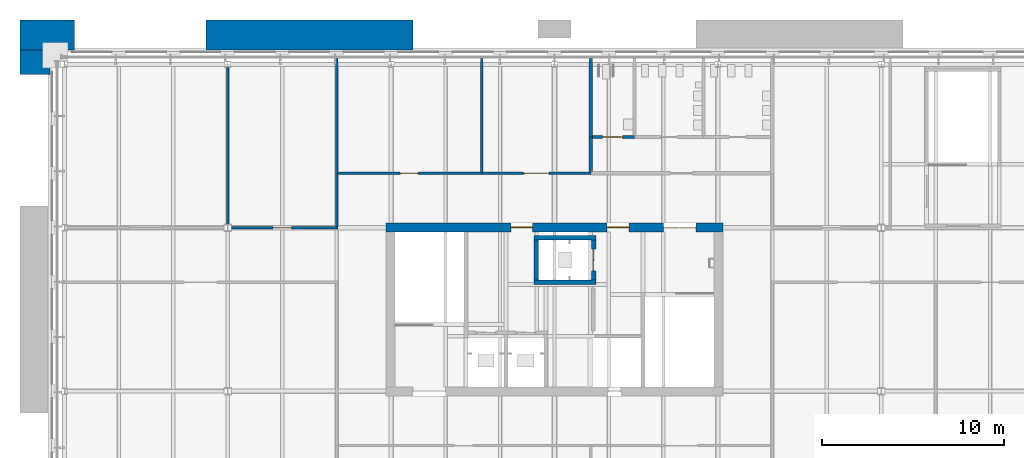
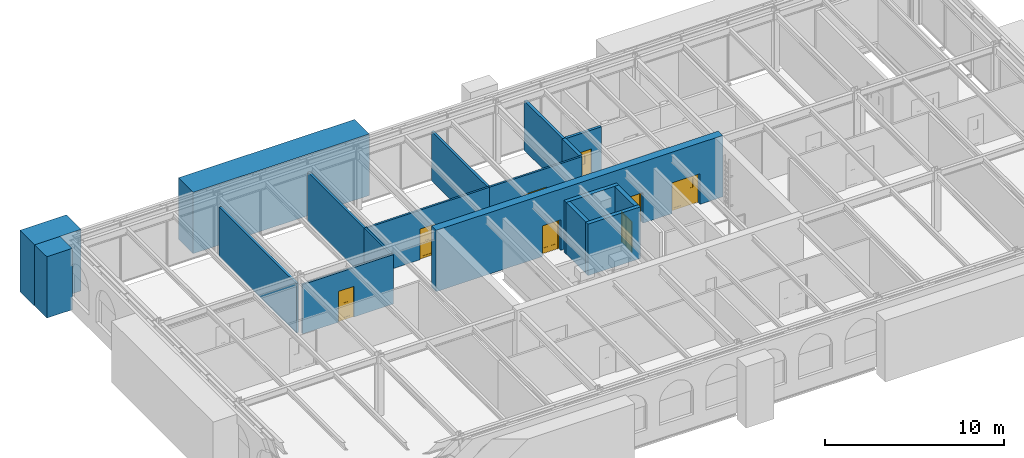
# One storey, part 13 of 24: 18 walls, 8 doors, 8 openings.
"""IFC4 building model written with IfcOpenShell, lengths in metres."""

from ifc_helpers import new_model, si_unit, direction, frame, frame_2d, origin, place, context, subcontext, project, spatial, polyline, rectangle, outline, extrude, material, layer, layer_set, type_object, element, fill, save


model = new_model("IFC4")

# Units and contexts
model_context = context("Model", 3, precision=1e-05, world=origin(), true_north=direction((0.0, 1.0)))
body_context = subcontext(model_context, "Body", "Model", "MODEL_VIEW")
ifc_project = project(units=[si_unit("LENGTHUNIT", "METRE"), si_unit("AREAUNIT", "SQUARE_METRE"), si_unit("VOLUMEUNIT", "CUBIC_METRE"), si_unit("PLANEANGLEUNIT", "RADIAN"), si_unit("MASSUNIT", "GRAM", prefix="KILO")], contexts=[model_context])

# Site, building, storey
site_placement = place(None, origin())
site = spatial("IfcSite", under=ifc_project, at=site_placement, CompositionType="ELEMENT")
building_placement = place(site_placement, origin())
building = spatial("IfcBuilding", under=site, at=building_placement, Name="Baradari Gate Terminus", CompositionType="ELEMENT")
storey_placement = place(building_placement, frame((0.0, 0.0, 32.699951171875)))
storey = spatial("IfcBuildingStorey", under=building, at=storey_placement, Name="L07", CompositionType="ELEMENT", Elevation=32.699951171875)

# Wall, opening, door
ifc_material_1 = material(Name="Gypsum board")
ifc_layer_1 = layer(ifc_material_1, 0.125)
ifc_layer_set_1 = layer_set([ifc_layer_1], Name="Gypsum board")
wall_type_1 = type_object("IfcWallType", Name="Corridor partition PT-5 125 EI 30", PredefinedType="PARTITIONING", material=ifc_layer_set_1)
wall_1_placement = place(storey_placement, frame((18.197509765625, 135.0, 0.0), z_axis=(0.0, 0.0, 1.0), x_axis=(1.0, 0.0, 0.0)))
wall_1 = element("IfcWall", 1, at=wall_1_placement, inside=storey, type_object=wall_type_1, Name="PT-5 partition Corridor / Instructor Office", PredefinedType="PARTITIONING", context=body_context, shape_type="SweptSolid", body=[
    extrude(rectangle(XDim=5.864990234375, YDim=0.125, at=frame_2d((2.9326171875, 0.0))), origin(), (0.0, 0.0, 1.0), 3.382080078125),
])
opening_1_placement = place(wall_1_placement, frame((2.302490234375, 0.0, 0.0)))
opening_1 = element("IfcOpeningElement", 2, at=opening_1_placement, cuts=wall_1, Name="Opening D07-016", PredefinedType="OPENING", context=body_context, shape_type="SweptSolid", body=[
    extrude(rectangle(XDim=1.0, YDim=2.10009765625, at=frame_2d((0.5, 1.050048828125))), frame((0.0, 0.072509765625, 0.0), z_axis=(0.0, -1.0, 0.0), x_axis=(1.0, 0.0, 0.0)), (0.0, 0.0, 1.0), 0.14501953125),
])
ifc_material_2 = material(Name="Steel S275", Category="steel")
door_type_1 = type_object("IfcDoorType", Name="Fire door FI-1000-FD30S 1000x2100 FD30S", OperationType="SINGLE_SWING_LEFT", PredefinedType="DOOR", material=ifc_material_2)
door_1_placement = place(opening_1_placement, origin())
door_1 = element("IfcDoor", 3, at=door_1_placement, inside=storey, type_object=door_type_1, Name="Door Instructor Office", OperationType="SINGLE_SWING_LEFT", OverallHeight=2.1, OverallWidth=1.0, PredefinedType="DOOR", context=body_context, shape_type="SweptSolid", body=[
    extrude(outline(polyline([(0.0, 0.0), (0.070068359375, 0.0), (0.070068359375, 2.030029296875), (0.929931640625, 2.030029296875), (0.929931640625, 0.0), (1.0, 0.0), (1.0, 2.10009765625), (0.0, 2.10009765625), (0.0, 0.0)])), frame((0.0, 0.02490234375, 0.0), z_axis=(0.0, -1.0, 0.0), x_axis=(1.0, 0.0, 0.0)), (0.0, 0.0, 1.0), 0.050048828125),
    extrude(outline(polyline([(0.073974609375, 0.010009765625), (0.926025390625, 0.010009765625), (0.926025390625, 2.026123046875), (0.073974609375, 2.026123046875), (0.073974609375, 0.010009765625)]), holes=[polyline([(0.194091796875, 0.159912109375), (0.805908203125, 0.159912109375), (0.805908203125, 1.010009765625), (0.194091796875, 1.010009765625), (0.194091796875, 0.159912109375)]), polyline([(0.35009765625, 1.159912109375), (0.64990234375, 1.159912109375), (0.64990234375, 1.760009765625), (0.35009765625, 1.760009765625), (0.35009765625, 1.159912109375)])]), frame((0.0, 0.017333984375, 0.0), z_axis=(0.0, -1.0, 0.0), x_axis=(1.0, 0.0, 0.0)), (0.0, 0.0, 1.0), 0.034912109375),
    extrude(rectangle(XDim=0.61181640625, YDim=0.85009765625, at=frame_2d((0.5, 0.5849609375))), frame((0.0, 0.008544921875, 0.0), z_axis=(0.0, -1.0, 0.0), x_axis=(1.0, 0.0, 0.0)), (0.0, 0.0, 1.0), 0.017333984375),
    extrude(rectangle(XDim=0.2998046875, YDim=0.60009765625, at=frame_2d((0.5, 1.4599609375))), frame((0.0, 0.005859375, 0.0), z_axis=(0.0, -1.0, 0.0), x_axis=(1.0, 0.0, 0.0)), (0.0, 0.0, 1.0), 0.011962890625),
])
fill(opening_1, door_1)

# Wall
wall_2_placement = place(storey_placement, frame((24.0, 135.0625, 0.0), z_axis=(0.0, 0.0, 1.0), x_axis=(0.0, 1.0, 0.0)))
element("IfcWall", 4, at=wall_2_placement, inside=storey, type_object=wall_type_1, Name="PT-5 partition Corridor / Instructor Office", PredefinedType="PARTITIONING", context=body_context, shape_type="SweptSolid", body=[
    extrude(rectangle(XDim=2.9375, YDim=0.125, at=frame_2d((1.46875, 0.0))), origin(), (0.0, 0.0, 1.0), 3.382080078125),
])

# Wall, opening, door
wall_3_placement = place(storey_placement, frame((24.074951171875, 138.0, 0.0), z_axis=(0.0, 0.0, 1.0), x_axis=(1.0, 0.0, 0.0)))
wall_3 = element("IfcWall", 5, at=wall_3_placement, inside=storey, type_object=wall_type_1, Name="PT-5 partition Corridor / Staff Clinic", PredefinedType="PARTITIONING", context=body_context, shape_type="SweptSolid", body=[
    extrude(rectangle(XDim=7.925048828125, YDim=0.125, at=frame_2d((3.96240234375, 0.0))), origin(), (0.0, 0.0, 1.0), 3.382080078125),
])
opening_2_placement = place(wall_3_placement, frame((3.425048828125, 0.0, 0.0)))
opening_2 = element("IfcOpeningElement", 6, at=opening_2_placement, cuts=wall_3, Name="Opening D07-020", PredefinedType="OPENING", context=body_context, shape_type="SweptSolid", body=[
    extrude(rectangle(XDim=1.0, YDim=2.10009765625, at=frame_2d((0.5, 1.050048828125))), frame((0.0, 0.072509765625, 0.0), z_axis=(0.0, -1.0, 0.0), x_axis=(1.0, 0.0, 0.0)), (0.0, 0.0, 1.0), 0.14501953125),
])
door_2_placement = place(opening_2_placement, origin())
door_2 = element("IfcDoor", 7, at=door_2_placement, inside=storey, type_object=door_type_1, Name="Door Staff Clinic", OperationType="SINGLE_SWING_LEFT", OverallHeight=2.1, OverallWidth=1.0, PredefinedType="DOOR", context=body_context, shape_type="SweptSolid", body=[
    extrude(outline(polyline([(0.0, 0.0), (0.070068359375, 0.0), (0.070068359375, 2.030029296875), (0.929931640625, 2.030029296875), (0.929931640625, 0.0), (1.0, 0.0), (1.0, 2.10009765625), (0.0, 2.10009765625), (0.0, 0.0)])), frame((0.0, 0.02490234375, 0.0), z_axis=(0.0, -1.0, 0.0), x_axis=(1.0, 0.0, 0.0)), (0.0, 0.0, 1.0), 0.050048828125),
    extrude(outline(polyline([(0.073974609375, 0.010009765625), (0.926025390625, 0.010009765625), (0.926025390625, 2.026123046875), (0.073974609375, 2.026123046875), (0.073974609375, 0.010009765625)]), holes=[polyline([(0.194091796875, 0.159912109375), (0.805908203125, 0.159912109375), (0.805908203125, 1.010009765625), (0.194091796875, 1.010009765625), (0.194091796875, 0.159912109375)]), polyline([(0.35009765625, 1.159912109375), (0.64990234375, 1.159912109375), (0.64990234375, 1.760009765625), (0.35009765625, 1.760009765625), (0.35009765625, 1.159912109375)])]), frame((0.0, 0.017333984375, 0.0), z_axis=(0.0, -1.0, 0.0), x_axis=(1.0, 0.0, 0.0)), (0.0, 0.0, 1.0), 0.034912109375),
    extrude(rectangle(XDim=0.61181640625, YDim=0.85009765625, at=frame_2d((0.5, 0.5849609375))), frame((0.0, 0.008544921875, 0.0), z_axis=(0.0, -1.0, 0.0), x_axis=(1.0, 0.0, 0.0)), (0.0, 0.0, 1.0), 0.017333984375),
    extrude(rectangle(XDim=0.2998046875, YDim=0.60009765625, at=frame_2d((0.5, 1.4599609375))), frame((0.0, 0.005859375, 0.0), z_axis=(0.0, -1.0, 0.0), x_axis=(1.0, 0.0, 0.0)), (0.0, 0.0, 1.0), 0.011962890625),
])
fill(opening_2, door_2)

wall_4_placement = place(storey_placement, frame((32.0, 138.0, 0.0), z_axis=(0.0, 0.0, 1.0), x_axis=(1.0, 0.0, 0.0)))
wall_4 = element("IfcWall", 8, at=wall_4_placement, inside=storey, type_object=wall_type_1, Name="PT-5 partition Corridor / Prayer Room", PredefinedType="PARTITIONING", context=body_context, shape_type="SweptSolid", body=[
    extrude(rectangle(XDim=6.0, YDim=0.125, at=frame_2d((3.0, 0.0))), origin(), (0.0, 0.0, 1.0), 3.382080078125),
])
opening_3_placement = place(wall_4_placement, frame((2.300048828125, 0.0, 0.0)))
opening_3 = element("IfcOpeningElement", 9, at=opening_3_placement, cuts=wall_4, Name="Opening D07-021", PredefinedType="OPENING", context=body_context, shape_type="SweptSolid", body=[
    extrude(rectangle(XDim=1.39990234375, YDim=2.10009765625, at=frame_2d((0.699951171875, 1.050048828125))), frame((0.0, 0.072509765625, 0.0), z_axis=(0.0, -1.0, 0.0), x_axis=(1.0, 0.0, 0.0)), (0.0, 0.0, 1.0), 0.14501953125),
])
ifc_material_3 = material(Name="Steel S275", Category="steel")
door_type_2 = type_object("IfcDoorType", Name="Fire door FI-1400-FD30S 1400x2100 FD30S", OperationType="DOUBLE_DOOR_SINGLE_SWING", PredefinedType="DOOR", material=ifc_material_3)
door_3_placement = place(opening_3_placement, origin())
door_3 = element("IfcDoor", 10, at=door_3_placement, inside=storey, type_object=door_type_2, Name="Door Prayer Room", OperationType="DOUBLE_DOOR_SINGLE_SWING", OverallHeight=2.1, OverallWidth=1.4, PredefinedType="DOOR", context=body_context, shape_type="SweptSolid", body=[
    extrude(outline(polyline([(0.0, 0.0), (0.070068359375, 0.0), (0.070068359375, 2.030029296875), (1.329833984375, 2.030029296875), (1.329833984375, 0.0), (1.39990234375, 0.0), (1.39990234375, 2.10009765625), (0.0, 2.10009765625), (0.0, 0.0)])), frame((0.0, 0.02490234375, 0.0), z_axis=(0.0, -1.0, 0.0), x_axis=(1.0, 0.0, 0.0)), (0.0, 0.0, 1.0), 0.050048828125),
    extrude(outline(polyline([(0.073974609375, 0.010009765625), (0.69677734375, 0.010009765625), (0.69677734375, 2.026123046875), (0.073974609375, 2.026123046875), (0.073974609375, 0.010009765625)]), holes=[polyline([(0.194091796875, 0.159912109375), (0.576904296875, 0.159912109375), (0.576904296875, 1.010009765625), (0.194091796875, 1.010009765625), (0.194091796875, 0.159912109375)]), polyline([(0.2353515625, 1.159912109375), (0.535400390625, 1.159912109375), (0.535400390625, 1.760009765625), (0.2353515625, 1.760009765625), (0.2353515625, 1.159912109375)])]), frame((0.0, 0.017333984375, 0.0), z_axis=(0.0, -1.0, 0.0), x_axis=(1.0, 0.0, 0.0)), (0.0, 0.0, 1.0), 0.034912109375),
    extrude(rectangle(XDim=0.3828125, YDim=0.85009765625, at=frame_2d((0.385498046875, 0.5849609375))), frame((0.0, 0.008544921875, 0.0), z_axis=(0.0, -1.0, 0.0), x_axis=(1.0, 0.0, 0.0)), (0.0, 0.0, 1.0), 0.017333984375),
    extrude(rectangle(XDim=0.300048828125, YDim=0.60009765625, at=frame_2d((0.38525390625, 1.4599609375))), frame((0.0, 0.005859375, 0.0), z_axis=(0.0, -1.0, 0.0), x_axis=(1.0, 0.0, 0.0)), (0.0, 0.0, 1.0), 0.011962890625),
    extrude(outline(polyline([(0.703125, 0.010009765625), (1.325927734375, 0.010009765625), (1.325927734375, 2.026123046875), (0.703125, 2.026123046875), (0.703125, 0.010009765625)]), holes=[polyline([(0.822998046875, 0.159912109375), (1.205810546875, 0.159912109375), (1.205810546875, 1.010009765625), (0.822998046875, 1.010009765625), (0.822998046875, 0.159912109375)]), polyline([(0.864501953125, 1.159912109375), (1.16455078125, 1.159912109375), (1.16455078125, 1.760009765625), (0.864501953125, 1.760009765625), (0.864501953125, 1.159912109375)])]), frame((0.0, 0.017333984375, 0.0), z_axis=(0.0, -1.0, 0.0), x_axis=(1.0, 0.0, 0.0)), (0.0, 0.0, 1.0), 0.034912109375),
    extrude(rectangle(XDim=0.3828125, YDim=0.85009765625, at=frame_2d((1.014404296875, 0.5849609375))), frame((0.0, 0.008544921875, 0.0), z_axis=(0.0, -1.0, 0.0), x_axis=(1.0, 0.0, 0.0)), (0.0, 0.0, 1.0), 0.017333984375),
    extrude(rectangle(XDim=0.300048828125, YDim=0.60009765625, at=frame_2d((1.0146484375, 1.4599609375))), frame((0.0, 0.005859375, 0.0), z_axis=(0.0, -1.0, 0.0), x_axis=(1.0, 0.0, 0.0)), (0.0, 0.0, 1.0), 0.011962890625),
])
fill(opening_3, door_3)

# Walls
ifc_material_4 = material(Name="Concrete C32/40", Category="concrete")
ifc_layer_2 = layer(ifc_material_4, 0.25)
ifc_layer_set_2 = layer_set([ifc_layer_2], Name="Concrete C32/40")
wall_type_2 = type_object("IfcWallType", Name="Firefighting lift shaft wall SH-2 250 EI 120", PredefinedType="SOLIDWALL", material=ifc_layer_set_2)
for number, where, z_axis, x_axis, name in (
    (11, (34.875, 132.0, 0.0), (0.0, 0.0, 1.0), (1.0, 0.0, 0.0), "Lift shaft wall LT3 L07 S"),
    (12, (34.875, 134.449951171875, 0.0), (0.0, 0.0, 1.0), (1.0, 0.0, 0.0), "Lift shaft wall LT3 L07 N"),
):
    element("IfcWall", number, at=place(storey_placement, frame(where, z_axis=z_axis, x_axis=x_axis)), inside=storey, type_object=wall_type_2, Name=name, PredefinedType="SOLIDWALL", context=body_context, shape_type="SweptSolid", body=[
        extrude(rectangle(XDim=3.39990234375, YDim=0.25, at=frame_2d((1.699951171875, 0.0))), origin(), (0.0, 0.0, 1.0), 3.525146484375),
    ])
wall_5_placement = place(storey_placement, frame((35.0, 132.125, 0.0), z_axis=(0.0, 0.0, 1.0), x_axis=(0.0, 1.0, 0.0)))
element("IfcWall", 13, at=wall_5_placement, inside=storey, type_object=wall_type_2, Name="Lift shaft wall LT3 L07 W", PredefinedType="SOLIDWALL", context=body_context, shape_type="SweptSolid", body=[
    extrude(rectangle(XDim=2.199951171875, YDim=0.25, at=frame_2d((1.10009765625, 0.0))), origin(), (0.0, 0.0, 1.0), 3.525146484375),
])

# Wall, opening, door
wall_6_placement = place(storey_placement, frame((38.14990234375, 132.125, 0.0), z_axis=(0.0, 0.0, 1.0), x_axis=(0.0, 1.0, 0.0)))
wall_6 = element("IfcWall", 14, at=wall_6_placement, inside=storey, type_object=wall_type_2, Name="Lift shaft wall LT3 L07 E", PredefinedType="SOLIDWALL", context=body_context, shape_type="SweptSolid", body=[
    extrude(rectangle(XDim=2.199951171875, YDim=0.25, at=frame_2d((1.10009765625, 0.0))), origin(), (0.0, 0.0, 1.0), 3.525146484375),
])
opening_4_placement = place(wall_6_placement, frame((0.5, 0.0, 0.0)))
opening_4 = element("IfcOpeningElement", 15, at=opening_4_placement, cuts=wall_6, Name="Opening D07-003", PredefinedType="OPENING", context=body_context, shape_type="SweptSolid", body=[
    extrude(rectangle(XDim=1.199951171875, YDim=2.10009765625, at=frame_2d((0.60009765625, 1.050048828125))), frame((0.0, 0.135009765625, 0.0), z_axis=(0.0, -1.0, 0.0), x_axis=(1.0, 0.0, 0.0)), (0.0, 0.0, 1.0), 0.27001953125),
])
ifc_material_5 = material(Name="Stainless steel 1.4301", Category="steel")
door_type_3 = type_object("IfcDoorType", Name="Lift landing door LD2 1200x2100 E 120", OperationType="SLIDING_TO_LEFT", PredefinedType="DOOR", material=ifc_material_5)
door_4_placement = place(opening_4_placement, origin())
door_4 = element("IfcDoor", 16, at=door_4_placement, inside=storey, type_object=door_type_3, Name="Lift landing door LT3 L07", OperationType="SLIDING_TO_LEFT", OverallHeight=2.1, OverallWidth=1.2, PredefinedType="DOOR", context=body_context, shape_type="SweptSolid", body=[
    extrude(outline(polyline([(0.0, 0.0), (0.070068359375, 0.0), (0.070068359375, 2.030029296875), (1.1298828125, 2.030029296875), (1.1298828125, 0.0), (1.199951171875, 0.0), (1.199951171875, 2.10009765625), (0.0, 2.10009765625), (0.0, 0.0)])), frame((0.0, 0.02490234375, 0.0), z_axis=(0.0, -1.0, 0.0), x_axis=(1.0, 0.0, 0.0)), (0.0, 0.0, 1.0), 0.050048828125),
    extrude(rectangle(XDim=0.57861328125, YDim=2.01611328125, at=frame_2d((0.36328125, 1.01806640625))), frame((0.0, 0.017822265625, 0.0), z_axis=(0.0, -1.0, 0.0), x_axis=(1.0, 0.0, 0.0)), (0.0, 0.0, 1.0), 0.015869140625),
    extrude(rectangle(XDim=0.57470703125, YDim=2.01611328125, at=frame_2d((0.838623046875, 1.01806640625))), frame((0.0, -0.002197265625, 0.0), z_axis=(0.0, -1.0, 0.0), x_axis=(1.0, 0.0, 0.0)), (0.0, 0.0, 1.0), 0.015869140625),
])
fill(opening_4, door_4)

# Wall
ifc_material_6 = material(Name="Blockwork wall, plastered, fire rated", Category="masonry")
ifc_layer_3 = layer(ifc_material_6, 0.199951171875)
ifc_layer_set_3 = layer_set([ifc_layer_3], Name="Blockwork wall, plastered, fire rated")
wall_type_3 = type_object("IfcWallType", Name="Lobby partition PT-4 200 EI 60", PredefinedType="PARTITIONING", material=ifc_layer_set_3)
wall_7_placement = place(storey_placement, frame((38.0, 138.10009765625, 0.0), z_axis=(0.0, 0.0, 1.0), x_axis=(0.0, 1.0, 0.0)))
element("IfcWall", 17, at=wall_7_placement, inside=storey, type_object=wall_type_3, Name="PT-4 partition WC Lobby / Prayer Room", PredefinedType="PARTITIONING", context=body_context, shape_type="SweptSolid", body=[
    extrude(rectangle(XDim=1.89990234375, YDim=0.199951171875, at=frame_2d((0.949951171875, 0.0))), origin(), (0.0, 0.0, 1.0), 3.382080078125),
])

# Wall, openings, doors
ifc_material_7 = material(Name="Concrete C40/50", Category="concrete")
ifc_layer_4 = layer(ifc_material_7, 0.5)
ifc_layer_set_4 = layer_set([ifc_layer_4], Name="Concrete C40/50")
wall_type_4 = type_object("IfcWallType", Name="Operations block core wall CWL02 500", PredefinedType="SOLIDWALL", material=ifc_layer_set_4)
wall_8_placement = place(storey_placement, frame((26.72509765625, 135.02490234375, 0.0), z_axis=(0.0, 0.0, 1.0), x_axis=(1.0, 0.0, 0.0)))
wall_8 = element("IfcWall", 18, at=wall_8_placement, inside=storey, type_object=wall_type_4, Name="Operations block core wall CT N L07", PredefinedType="SOLIDWALL", context=body_context, shape_type="SweptSolid", body=[
    extrude(rectangle(XDim=18.5498046875, YDim=0.5, at=frame_2d((9.27490234375, 0.0))), origin(), (0.0, 0.0, 1.0), 4.199951171875),
])
opening_5_placement = place(wall_8_placement, frame((15.27490234375, 0.0, 0.0)))
opening_5 = element("IfcOpeningElement", 19, at=opening_5_placement, cuts=wall_8, Name="Opening D07-005", PredefinedType="OPENING", context=body_context, shape_type="SweptSolid", body=[
    extrude(rectangle(XDim=1.800048828125, YDim=2.10009765625, at=frame_2d((0.89990234375, 1.050048828125))), frame((0.0, 0.260009765625, 0.0), z_axis=(0.0, -1.0, 0.0), x_axis=(1.0, 0.0, 0.0)), (0.0, 0.0, 1.0), 0.52001953125),
])
opening_6_placement = place(wall_8_placement, frame((6.875, 0.0, 0.0)))
opening_6 = element("IfcOpeningElement", 20, at=opening_6_placement, cuts=wall_8, Name="Opening D07-006", PredefinedType="OPENING", context=body_context, shape_type="SweptSolid", body=[
    extrude(rectangle(XDim=1.199951171875, YDim=2.10009765625, at=frame_2d((0.60009765625, 1.050048828125))), frame((0.0, 0.260009765625, 0.0), z_axis=(0.0, -1.0, 0.0), x_axis=(1.0, 0.0, 0.0)), (0.0, 0.0, 1.0), 0.52001953125),
])
opening_7_placement = place(wall_8_placement, frame((12.175048828125, 0.0, 0.0)))
opening_7 = element("IfcOpeningElement", 21, at=opening_7_placement, cuts=wall_8, Name="Opening D07-007", PredefinedType="OPENING", context=body_context, shape_type="SweptSolid", body=[
    extrude(rectangle(XDim=1.199951171875, YDim=2.10009765625, at=frame_2d((0.60009765625, 1.050048828125))), frame((0.0, 0.260009765625, 0.0), z_axis=(0.0, -1.0, 0.0), x_axis=(1.0, 0.0, 0.0)), (0.0, 0.0, 1.0), 0.52001953125),
])
ifc_material_8 = material(Name="Steel S275", Category="steel")
door_type_4 = type_object("IfcDoorType", Name="Fire door FI-1200-FD90S 1200x2100 FD90S", OperationType="DOUBLE_DOOR_SINGLE_SWING", PredefinedType="DOOR", material=ifc_material_8)
door_5_placement = place(opening_6_placement, frame((1.199951171875, 0.0, 0.0), z_axis=(0.0, 0.0, 1.0), x_axis=(-1.0, 0.0, 0.0)))
door_5 = element("IfcDoor", 22, at=door_5_placement, inside=storey, type_object=door_type_4, Name="Door Lift Lobby", OperationType="DOUBLE_DOOR_SINGLE_SWING", OverallHeight=2.1, OverallWidth=1.2, PredefinedType="DOOR", context=body_context, shape_type="SweptSolid", body=[
    extrude(outline(polyline([(0.0, 0.0), (0.070068359375, 0.0), (0.070068359375, 2.030029296875), (1.1298828125, 2.030029296875), (1.1298828125, 0.0), (1.199951171875, 0.0), (1.199951171875, 2.10009765625), (0.0, 2.10009765625), (0.0, 0.0)])), frame((0.0, 0.02490234375, 0.0), z_axis=(0.0, -1.0, 0.0), x_axis=(1.0, 0.0, 0.0)), (0.0, 0.0, 1.0), 0.050048828125),
    extrude(outline(polyline([(0.073974609375, 0.010009765625), (0.596923828125, 0.010009765625), (0.596923828125, 2.026123046875), (0.073974609375, 2.026123046875), (0.073974609375, 0.010009765625)]), holes=[polyline([(0.178466796875, 0.372802734375), (0.492431640625, 0.372802734375), (0.492431640625, 1.7841796875), (0.178466796875, 1.7841796875), (0.178466796875, 0.372802734375)])]), frame((0.0, 0.017333984375, 0.0), z_axis=(0.0, -1.0, 0.0), x_axis=(1.0, 0.0, 0.0)), (0.0, 0.0, 1.0), 0.034912109375),
    extrude(rectangle(XDim=0.31396484375, YDim=1.411376953125, at=frame_2d((0.33544921875, 1.07861328125))), frame((0.0, 0.008544921875, 0.0), z_axis=(0.0, -1.0, 0.0), x_axis=(1.0, 0.0, 0.0)), (0.0, 0.0, 1.0), 0.017333984375),
    extrude(outline(polyline([(0.60302734375, 0.010009765625), (1.1259765625, 0.010009765625), (1.1259765625, 2.026123046875), (0.60302734375, 2.026123046875), (0.60302734375, 0.010009765625)]), holes=[polyline([(0.70751953125, 0.372802734375), (1.021484375, 0.372802734375), (1.021484375, 1.7841796875), (0.70751953125, 1.7841796875), (0.70751953125, 0.372802734375)])]), frame((0.0, 0.017333984375, 0.0), z_axis=(0.0, -1.0, 0.0), x_axis=(1.0, 0.0, 0.0)), (0.0, 0.0, 1.0), 0.034912109375),
    extrude(rectangle(XDim=0.31396484375, YDim=1.411376953125, at=frame_2d((0.864501953125, 1.07861328125))), frame((0.0, 0.008544921875, 0.0), z_axis=(0.0, -1.0, 0.0), x_axis=(1.0, 0.0, 0.0)), (0.0, 0.0, 1.0), 0.017333984375),
])
fill(opening_6, door_5)
door_6_placement = place(opening_7_placement, frame((1.199951171875, 0.0, 0.0), z_axis=(0.0, 0.0, 1.0), x_axis=(-1.0, 0.0, 0.0)))
door_6 = element("IfcDoor", 23, at=door_6_placement, inside=storey, type_object=door_type_4, Name="Door Lift Lobby (Fire-fighting)", OperationType="DOUBLE_DOOR_SINGLE_SWING", OverallHeight=2.1, OverallWidth=1.2, PredefinedType="DOOR", context=body_context, shape_type="SweptSolid", body=[
    extrude(outline(polyline([(0.0, 0.0), (0.070068359375, 0.0), (0.070068359375, 2.030029296875), (1.1298828125, 2.030029296875), (1.1298828125, 0.0), (1.199951171875, 0.0), (1.199951171875, 2.10009765625), (0.0, 2.10009765625), (0.0, 0.0)])), frame((0.0, 0.02490234375, 0.0), z_axis=(0.0, -1.0, 0.0), x_axis=(1.0, 0.0, 0.0)), (0.0, 0.0, 1.0), 0.050048828125),
    extrude(outline(polyline([(0.073974609375, 0.010009765625), (0.596923828125, 0.010009765625), (0.596923828125, 2.026123046875), (0.073974609375, 2.026123046875), (0.073974609375, 0.010009765625)]), holes=[polyline([(0.178466796875, 0.372802734375), (0.492431640625, 0.372802734375), (0.492431640625, 1.7841796875), (0.178466796875, 1.7841796875), (0.178466796875, 0.372802734375)])]), frame((0.0, 0.017333984375, 0.0), z_axis=(0.0, -1.0, 0.0), x_axis=(1.0, 0.0, 0.0)), (0.0, 0.0, 1.0), 0.034912109375),
    extrude(rectangle(XDim=0.31396484375, YDim=1.411376953125, at=frame_2d((0.33544921875, 1.07861328125))), frame((0.0, 0.008544921875, 0.0), z_axis=(0.0, -1.0, 0.0), x_axis=(1.0, 0.0, 0.0)), (0.0, 0.0, 1.0), 0.017333984375),
    extrude(outline(polyline([(0.60302734375, 0.010009765625), (1.1259765625, 0.010009765625), (1.1259765625, 2.026123046875), (0.60302734375, 2.026123046875), (0.60302734375, 0.010009765625)]), holes=[polyline([(0.70751953125, 0.372802734375), (1.021484375, 0.372802734375), (1.021484375, 1.7841796875), (0.70751953125, 1.7841796875), (0.70751953125, 0.372802734375)])]), frame((0.0, 0.017333984375, 0.0), z_axis=(0.0, -1.0, 0.0), x_axis=(1.0, 0.0, 0.0)), (0.0, 0.0, 1.0), 0.034912109375),
    extrude(rectangle(XDim=0.31396484375, YDim=1.411376953125, at=frame_2d((0.864501953125, 1.07861328125))), frame((0.0, 0.008544921875, 0.0), z_axis=(0.0, -1.0, 0.0), x_axis=(1.0, 0.0, 0.0)), (0.0, 0.0, 1.0), 0.017333984375),
])
fill(opening_7, door_6)
ifc_material_9 = material(Name="Steel S275", Category="steel")
door_type_5 = type_object("IfcDoorType", Name="Fire door FI-1800-FD90S 1800x2100 FD90S", OperationType="DOUBLE_DOOR_SINGLE_SWING", PredefinedType="DOOR", material=ifc_material_9)
door_7_placement = place(opening_5_placement, frame((1.800048828125, 0.0, 0.0), z_axis=(0.0, 0.0, 1.0), x_axis=(-1.0, 0.0, 0.0)))
door_7 = element("IfcDoor", 24, at=door_7_placement, inside=storey, type_object=door_type_5, Name="Door Stair (Core) 2", OperationType="DOUBLE_DOOR_SINGLE_SWING", OverallHeight=2.1, OverallWidth=1.8, PredefinedType="DOOR", context=body_context, shape_type="SweptSolid", body=[
    extrude(outline(polyline([(0.0, 0.0), (0.070068359375, 0.0), (0.070068359375, 2.030029296875), (1.72998046875, 2.030029296875), (1.72998046875, 0.0), (1.800048828125, 0.0), (1.800048828125, 2.10009765625), (0.0, 2.10009765625), (0.0, 0.0)])), frame((0.0, 0.02490234375, 0.0), z_axis=(0.0, -1.0, 0.0), x_axis=(1.0, 0.0, 0.0)), (0.0, 0.0, 1.0), 0.050048828125),
    extrude(outline(polyline([(0.073974609375, 0.010009765625), (0.89697265625, 0.010009765625), (0.89697265625, 2.026123046875), (0.073974609375, 2.026123046875), (0.073974609375, 0.010009765625)]), holes=[polyline([(0.194091796875, 0.159912109375), (0.77685546875, 0.159912109375), (0.77685546875, 1.010009765625), (0.194091796875, 1.010009765625), (0.194091796875, 0.159912109375)]), polyline([(0.33544921875, 1.159912109375), (0.635498046875, 1.159912109375), (0.635498046875, 1.760009765625), (0.33544921875, 1.760009765625), (0.33544921875, 1.159912109375)])]), frame((0.0, 0.017333984375, 0.0), z_axis=(0.0, -1.0, 0.0), x_axis=(1.0, 0.0, 0.0)), (0.0, 0.0, 1.0), 0.034912109375),
    extrude(rectangle(XDim=0.582763671875, YDim=0.85009765625, at=frame_2d((0.4853515625, 0.5849609375))), frame((0.0, 0.008544921875, 0.0), z_axis=(0.0, -1.0, 0.0), x_axis=(1.0, 0.0, 0.0)), (0.0, 0.0, 1.0), 0.017333984375),
    extrude(rectangle(XDim=0.300048828125, YDim=0.60009765625, at=frame_2d((0.4853515625, 1.4599609375))), frame((0.0, 0.005859375, 0.0), z_axis=(0.0, -1.0, 0.0), x_axis=(1.0, 0.0, 0.0)), (0.0, 0.0, 1.0), 0.011962890625),
    extrude(outline(polyline([(0.903076171875, 0.010009765625), (1.72607421875, 0.010009765625), (1.72607421875, 2.026123046875), (0.903076171875, 2.026123046875), (0.903076171875, 0.010009765625)]), holes=[polyline([(1.023193359375, 0.159912109375), (1.60595703125, 0.159912109375), (1.60595703125, 1.010009765625), (1.023193359375, 1.010009765625), (1.023193359375, 0.159912109375)]), polyline([(1.16455078125, 1.159912109375), (1.464599609375, 1.159912109375), (1.464599609375, 1.760009765625), (1.16455078125, 1.760009765625), (1.16455078125, 1.159912109375)])]), frame((0.0, 0.017333984375, 0.0), z_axis=(0.0, -1.0, 0.0), x_axis=(1.0, 0.0, 0.0)), (0.0, 0.0, 1.0), 0.034912109375),
    extrude(rectangle(XDim=0.582763671875, YDim=0.85009765625, at=frame_2d((1.314453125, 0.5849609375))), frame((0.0, 0.008544921875, 0.0), z_axis=(0.0, -1.0, 0.0), x_axis=(1.0, 0.0, 0.0)), (0.0, 0.0, 1.0), 0.017333984375),
    extrude(rectangle(XDim=0.300048828125, YDim=0.60009765625, at=frame_2d((1.314453125, 1.4599609375))), frame((0.0, 0.005859375, 0.0), z_axis=(0.0, -1.0, 0.0), x_axis=(1.0, 0.0, 0.0)), (0.0, 0.0, 1.0), 0.011962890625),
])
fill(opening_5, door_7)

# Walls
ifc_material_10 = material(Name="Blockwork wall, plastered", Category="masonry")
ifc_layer_5 = layer(ifc_material_10, 0.14990234375)
ifc_layer_set_5 = layer_set([ifc_layer_5], Name="Blockwork wall, plastered")
wall_type_5 = type_object("IfcWallType", Name="Partition PT-2 150 EI 60", PredefinedType="PARTITIONING", material=ifc_layer_set_5)
wall_9_placement = place(storey_placement, frame((18.0, 143.830078125, 0.0), z_axis=(0.0, 0.0, 1.0), x_axis=(0.0, -1.0, 0.0)))
element("IfcWall", 25, at=wall_9_placement, inside=storey, type_object=wall_type_5, Name="PT-2 partition Training Classroom 1 / Instructor Office", PredefinedType="PARTITIONING", context=body_context, shape_type="SweptSolid", body=[
    extrude(rectangle(XDim=8.6396484375, YDim=0.14990234375, at=frame_2d((4.31982421875, 0.0))), origin(), (0.0, 0.0, 1.0), 3.382080078125),
])
wall_10_placement = place(storey_placement, frame((24.0, 144.31494140625, 0.0), z_axis=(0.0, 0.0, 1.0), x_axis=(0.0, -1.0, 0.0)))
element("IfcWall", 26, at=wall_10_placement, inside=storey, type_object=wall_type_5, Name="PT-2 partition Instructor Office / Staff Clinic", PredefinedType="PARTITIONING", context=body_context, shape_type="SweptSolid", body=[
    extrude(rectangle(XDim=6.31494140625, YDim=0.14990234375, at=frame_2d((3.157470703125, 0.0))), origin(), (0.0, 0.0, 1.0), 3.382080078125),
])
wall_11_placement = place(storey_placement, frame((32.0, 144.31494140625, 0.0), z_axis=(0.0, 0.0, 1.0), x_axis=(0.0, -1.0, 0.0)))
element("IfcWall", 27, at=wall_11_placement, inside=storey, type_object=wall_type_5, Name="PT-2 partition Staff Clinic / Prayer Room", PredefinedType="PARTITIONING", context=body_context, shape_type="SweptSolid", body=[
    extrude(rectangle(XDim=6.25244140625, YDim=0.14990234375, at=frame_2d((3.126220703125, 0.0))), origin(), (0.0, 0.0, 1.0), 3.382080078125),
])
ifc_material_11 = material(Name="Concrete C40/50 precast", Category="concrete")
ifc_layer_6 = layer(ifc_material_11, 1.55)
ifc_material_12 = material(Name="Sandstone cladding", Category="masonry")
ifc_layer_7 = layer(ifc_material_12, 0.1)
ifc_layer_set_6 = layer_set([ifc_layer_6, ifc_layer_7], Name="Concrete C40/50 precast")
wall_type_6 = type_object("IfcWallType", Name="Sandstone-faced precast frame pier WQ-4 1650", PredefinedType="SOLIDWALL", material=ifc_layer_set_6)
wall_12_placement = place(storey_placement, frame((16.800048828125, 145.6201171875, 0.0), z_axis=(0.0, 0.0, 1.0), x_axis=(1.0, 0.0, 0.0)))
element("IfcWall", 28, at=wall_12_placement, inside=storey, type_object=wall_type_6, Name="Frame portal wall N face bay 1 1", PredefinedType="SOLIDWALL", context=body_context, shape_type="SweptSolid", body=[
    extrude(outline(polyline([(11.39990234375, 0.0), (11.39990234375, 4.199951171875), (0.0, 4.199951171875), (0.0, 0.0), (11.39990234375, 0.0)])), frame((0.0, 0.824951171875, 0.0), z_axis=(0.0, -1.0, 0.0), x_axis=(1.0, 0.0, 0.0)), (0.0, 0.0, 1.0), 1.64990234375),
])
wall_13_placement = place(storey_placement, frame((6.554931640625, 145.6201171875, 0.0), z_axis=(0.0, 0.0, 1.0), x_axis=(1.0, 0.0, 0.0)))
element("IfcWall", 29, at=wall_13_placement, inside=storey, type_object=wall_type_6, Name="Corner pilaster NW leg A L07", PredefinedType="SOLIDWALL", context=body_context, shape_type="SweptSolid", body=[
    extrude(rectangle(XDim=3.0, YDim=1.64990234375, at=frame_2d((1.5, 0.0))), origin(), (0.0, 0.0, 1.0), 4.199951171875),
])
wall_14_placement = place(storey_placement, frame((7.3798828125, 143.445068359375, 0.0), z_axis=(0.0, 0.0, 1.0), x_axis=(0.0, 1.0, 0.0)))
element("IfcWall", 30, at=wall_14_placement, inside=storey, type_object=wall_type_6, Name="Corner pilaster NW leg B L07", PredefinedType="SOLIDWALL", context=body_context, shape_type="SweptSolid", body=[
    extrude(rectangle(XDim=1.349853515625, YDim=1.64990234375, at=frame_2d((0.6748046875, 0.0))), origin(), (0.0, 0.0, 1.0), 4.199951171875),
])

# Wall, opening, door
ifc_material_13 = material(Name="Blockwork wall, tiled both faces", Category="masonry")
ifc_layer_8 = layer(ifc_material_13, 0.175048828125)
ifc_layer_set_7 = layer_set([ifc_layer_8], Name="Blockwork wall, tiled both faces")
wall_type_7 = type_object("IfcWallType", Name="WC wet wall PT-6 175 EI 60", PredefinedType="PARTITIONING", material=ifc_layer_set_7)
wall_15_placement = place(storey_placement, frame((38.10009765625, 140.0, 0.0), z_axis=(0.0, 0.0, 1.0), x_axis=(1.0, 0.0, 0.0)))
wall_15 = element("IfcWall", 31, at=wall_15_placement, inside=storey, type_object=wall_type_7, Name="PT-6 partition WC Lobby / Accessible WC", PredefinedType="PARTITIONING", context=body_context, shape_type="SweptSolid", body=[
    extrude(rectangle(XDim=2.2998046875, YDim=0.175048828125, at=frame_2d((1.14990234375, 0.0))), origin(), (0.0, 0.0, 1.0), 3.382080078125),
])
opening_8_placement = place(wall_15_placement, frame((0.550048828125, 0.0, 0.0)))
opening_8 = element("IfcOpeningElement", 32, at=opening_8_placement, cuts=wall_15, Name="Opening D07-012", PredefinedType="OPENING", context=body_context, shape_type="SweptSolid", body=[
    extrude(rectangle(XDim=1.10009765625, YDim=2.10009765625, at=frame_2d((0.550048828125, 1.050048828125))), frame((0.0, 0.097412109375, 0.0), z_axis=(0.0, -1.0, 0.0), x_axis=(1.0, 0.0, 0.0)), (0.0, 0.0, 1.0), 0.195068359375),
])
ifc_material_14 = material(Name="Steel S275", Category="steel")
door_type_6 = type_object("IfcDoorType", Name="Fire door FI-1100-FD60S 1100x2100 FD60S", OperationType="SINGLE_SWING_LEFT", PredefinedType="DOOR", material=ifc_material_14)
door_8_placement = place(opening_8_placement, origin())
door_8 = element("IfcDoor", 33, at=door_8_placement, inside=storey, type_object=door_type_6, Name="Door Accessible WC", OperationType="SINGLE_SWING_LEFT", OverallHeight=2.1, OverallWidth=1.1, PredefinedType="DOOR", context=body_context, shape_type="SweptSolid", body=[
    extrude(outline(polyline([(0.0, 0.0), (0.070068359375, 0.0), (0.070068359375, 2.030029296875), (1.030029296875, 2.030029296875), (1.030029296875, 0.0), (1.10009765625, 0.0), (1.10009765625, 2.10009765625), (0.0, 2.10009765625), (0.0, 0.0)])), frame((0.0, 0.02490234375, 0.0), z_axis=(0.0, -1.0, 0.0), x_axis=(1.0, 0.0, 0.0)), (0.0, 0.0, 1.0), 0.050048828125),
    extrude(outline(polyline([(0.073974609375, 0.010009765625), (1.026123046875, 0.010009765625), (1.026123046875, 2.026123046875), (0.073974609375, 2.026123046875), (0.073974609375, 0.010009765625)]), holes=[polyline([(0.194091796875, 0.159912109375), (0.906005859375, 0.159912109375), (0.906005859375, 1.010009765625), (0.194091796875, 1.010009765625), (0.194091796875, 0.159912109375)]), polyline([(0.400146484375, 1.159912109375), (0.699951171875, 1.159912109375), (0.699951171875, 1.760009765625), (0.400146484375, 1.760009765625), (0.400146484375, 1.159912109375)])]), frame((0.0, 0.017333984375, 0.0), z_axis=(0.0, -1.0, 0.0), x_axis=(1.0, 0.0, 0.0)), (0.0, 0.0, 1.0), 0.034912109375),
    extrude(rectangle(XDim=0.7119140625, YDim=0.85009765625, at=frame_2d((0.550048828125, 0.5849609375))), frame((0.0, 0.008544921875, 0.0), z_axis=(0.0, -1.0, 0.0), x_axis=(1.0, 0.0, 0.0)), (0.0, 0.0, 1.0), 0.017333984375),
    extrude(rectangle(XDim=0.2998046875, YDim=0.60009765625, at=frame_2d((0.550048828125, 1.4599609375))), frame((0.0, 0.005859375, 0.0), z_axis=(0.0, -1.0, 0.0), x_axis=(1.0, 0.0, 0.0)), (0.0, 0.0, 1.0), 0.011962890625),
])
fill(opening_8, door_8)

# Wall
wall_16_placement = place(storey_placement, frame((38.0, 140.0, 0.0), z_axis=(0.0, 0.0, 1.0), x_axis=(0.0, 1.0, 0.0)))
element("IfcWall", 34, at=wall_16_placement, inside=storey, type_object=wall_type_7, Name="PT-6 partition Accessible WC / Prayer Room", PredefinedType="PARTITIONING", context=body_context, shape_type="SweptSolid", body=[
    extrude(rectangle(XDim=4.31494140625, YDim=0.175048828125, at=frame_2d((2.157470703125, 0.0))), origin(), (0.0, 0.0, 1.0), 3.382080078125),
])

save(model, "model.ifc")
